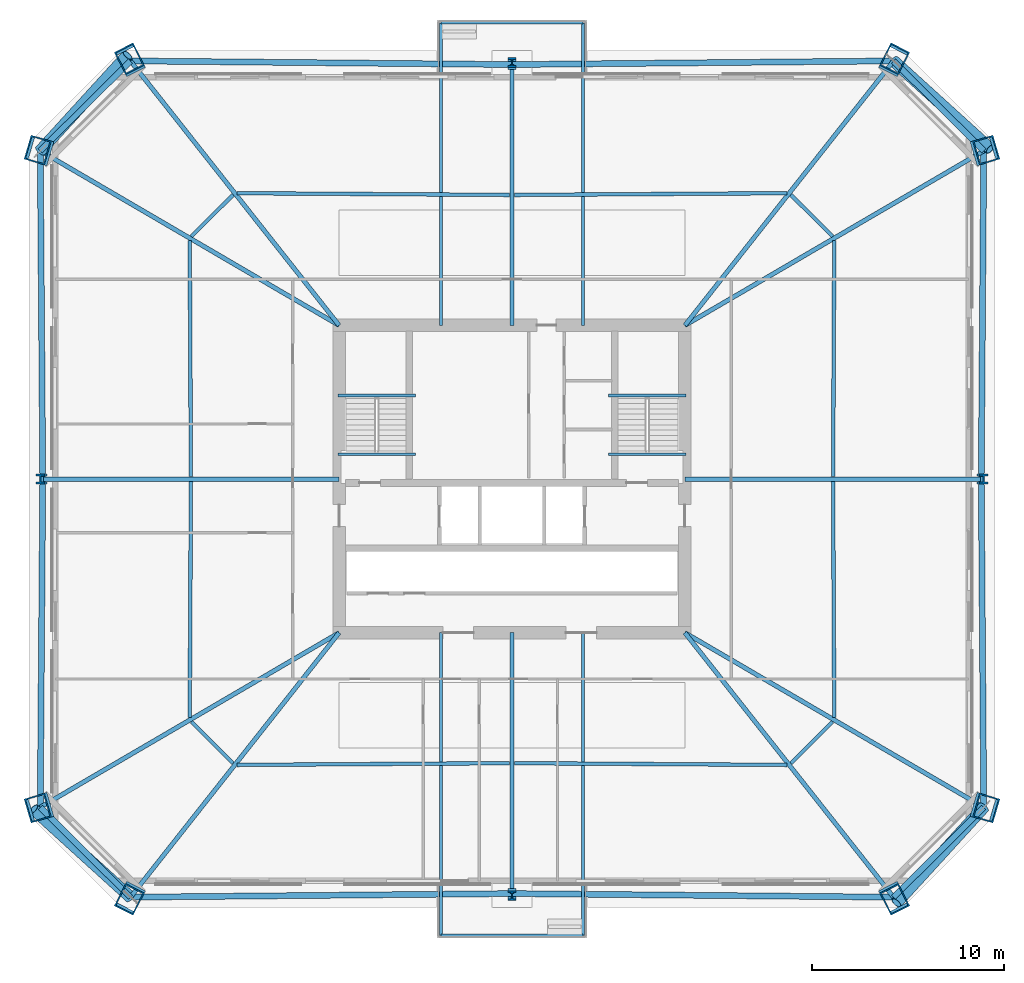
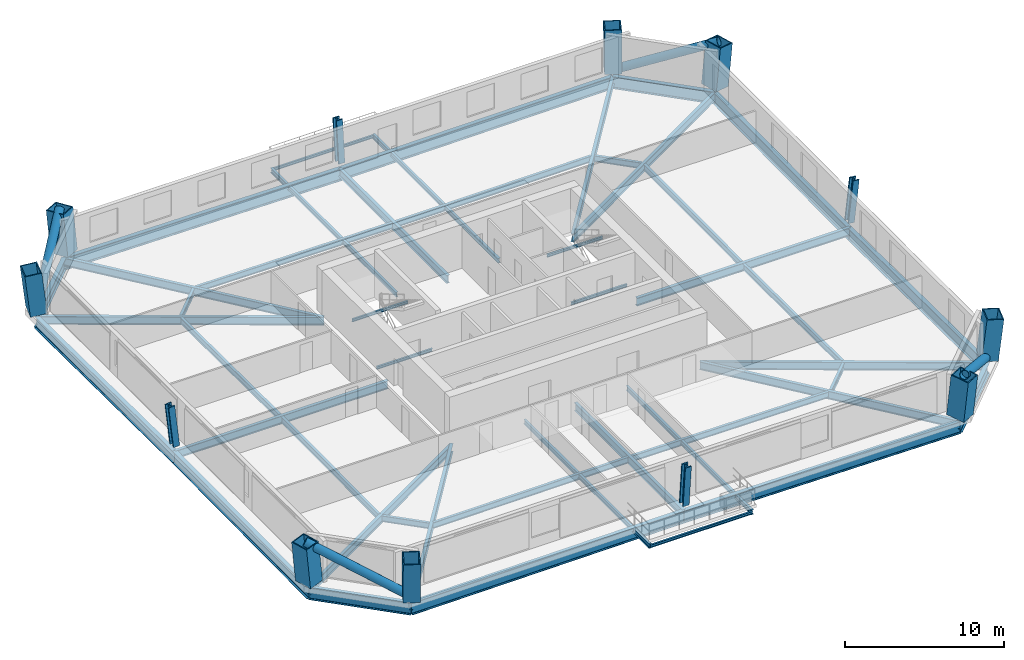
# One storey, part 1 of 8: 46 beams, 12 columns, 4 members.
"""IFC4 building model written with IfcOpenShell, lengths in metres."""

from ifc_helpers import new_model, si_unit, direction, frame, origin, origin_2d, place, context, subcontext, project, spatial, hollow_rectangle, hollow_circle, i_section, extrude, material, material_profile, profile_set, type_object, element, save


model = new_model("IFC4")

# Units and contexts
model_context = context("Model", 3, precision=1e-05, world=origin(), true_north=direction((0.0, 1.0)))
body_context = subcontext(model_context, "Body", "Model", "MODEL_VIEW")
ifc_project = project(units=[si_unit("LENGTHUNIT", "METRE"), si_unit("AREAUNIT", "SQUARE_METRE"), si_unit("VOLUMEUNIT", "CUBIC_METRE"), si_unit("PLANEANGLEUNIT", "RADIAN"), si_unit("MASSUNIT", "GRAM", prefix="KILO")], contexts=[model_context])

# Site, building, storey
site_placement = place(None, origin())
site = spatial("IfcSite", under=ifc_project, at=site_placement, CompositionType="ELEMENT")
building_placement = place(site_placement, origin())
building = spatial("IfcBuilding", under=site, at=building_placement, Name="Caelvoria Tower", CompositionType="ELEMENT")
storey_placement = place(building_placement, frame((0.0, 0.0, 46.0)))
storey = spatial("IfcBuildingStorey", under=building, at=storey_placement, Name="L11", CompositionType="ELEMENT", Elevation=46.0)

# Columns
ifc_material_1 = material(Name="Structural Steel ASTM A913 Gr.65", Category="steel")
ifc_material_profile_1 = material_profile(ifc_material_1, i_section(OverallWidth=0.43896484375, OverallDepth=0.513916015625, WebThickness=0.059814453125, FlangeThickness=0.096923828125, FilletRadius=0.02490234375, at=origin_2d()), Name="Structural Steel ASTM A913 Gr.65")
ifc_profile_set_1 = profile_set([ifc_material_profile_1], Name="W360X818 - Structural Steel ASTM A913 Gr.65")
column_type_1 = type_object("IfcColumnType", Name="Heavy Frame Column W360X818", PredefinedType="COLUMN", material=ifc_profile_set_1)
column_1_placement = place(storey_placement, frame((46.0, 10.419921875, 0.0), z_axis=(0.0, -0.094809092628, 0.995495472594), x_axis=(1.0, 0.0, 0.0)))
element("IfcColumn", 1, at=column_1_placement, inside=storey, type_object=column_type_1, Name="Perimeter Megaframe Column L11-P01", PredefinedType="COLUMN", context=body_context, shape_type="SweptSolid", body=[
    extrude(i_section(OverallWidth=0.43896484375, OverallDepth=0.513916015625, WebThickness=0.059814453125, FlangeThickness=0.096923828125, FilletRadius=0.02490234375, at=origin_2d()), origin(), (0.0, 0.0, 1.0), 3.162109375),
])
column_2_placement = place(storey_placement, frame((70.429931640625, 32.0, 0.0), z_axis=(0.110533045798, 0.0, 0.993872449455), x_axis=(-0.993872449455, 0.0, 0.110533045798)))
element("IfcColumn", 2, at=column_2_placement, inside=storey, type_object=column_type_1, Name="Perimeter Megaframe Column L11-P04", PredefinedType="COLUMN", context=body_context, shape_type="SweptSolid", body=[
    extrude(i_section(OverallWidth=0.43896484375, OverallDepth=0.513916015625, WebThickness=0.059814453125, FlangeThickness=0.096923828125, FilletRadius=0.02490234375, at=origin_2d()), origin(), (0.0, 0.0, 1.0), 3.167236328125),
])
column_3_placement = place(storey_placement, frame((46.0, 53.580078125, 0.0), z_axis=(0.0, 0.094809092628, 0.995495472594), x_axis=(-1.0, 0.0, 0.0)))
element("IfcColumn", 3, at=column_3_placement, inside=storey, type_object=column_type_1, Name="Perimeter Megaframe Column L11-P07", PredefinedType="COLUMN", context=body_context, shape_type="SweptSolid", body=[
    extrude(i_section(OverallWidth=0.43896484375, OverallDepth=0.513916015625, WebThickness=0.059814453125, FlangeThickness=0.096923828125, FilletRadius=0.02490234375, at=origin_2d()), origin(), (0.0, 0.0, 1.0), 3.162109375),
])
column_4_placement = place(storey_placement, frame((21.570068359375, 32.0, 0.0), z_axis=(-0.110533045798, 0.0, 0.993872449455), x_axis=(0.993872449455, 0.0, 0.110533045798)))
element("IfcColumn", 4, at=column_4_placement, inside=storey, type_object=column_type_1, Name="Perimeter Megaframe Column L11-P10", PredefinedType="COLUMN", context=body_context, shape_type="SweptSolid", body=[
    extrude(i_section(OverallWidth=0.43896484375, OverallDepth=0.513916015625, WebThickness=0.059814453125, FlangeThickness=0.096923828125, FilletRadius=0.02490234375, at=origin_2d()), origin(), (0.0, 0.0, 1.0), 3.167236328125),
])
ifc_material_2 = material(Name="Structural Steel ASTM A572 Gr.50", Category="steel")
ifc_material_profile_2 = material_profile(ifc_material_2, hollow_rectangle(XDim=1.10009765625, YDim=1.300048828125, WallThickness=0.070068359375, at=origin_2d()), Name="Structural Steel ASTM A572 Gr.50")
ifc_profile_set_2 = profile_set([ifc_material_profile_2], Name="BOX1300X1100X70 - Structural Steel ASTM A572 Gr.50")
column_type_2 = type_object("IfcColumnType", Name="Mega Box Column 1300x1100x70", PredefinedType="COLUMN", material=ifc_profile_set_2)
for number, where, z_axis, x_axis, name in (
    (5, (26.13525390625, 10.231689453125, 0.0), (-0.047892071217, -0.094241724682, 0.994396725077), (0.891490015287, -0.453040343284, 0.0), "Perimeter Megaframe Column L11-P00"),
    (6, (65.86474609375, 10.231689453125, 0.0), (0.047892071217, -0.094241724682, 0.994396725077), (0.891490015287, 0.453040343284, 0.0), "Perimeter Megaframe Column L11-P02"),
):
    element("IfcColumn", number, at=place(storey_placement, frame(where, z_axis=z_axis, x_axis=x_axis)), inside=storey, type_object=column_type_2, Name=name, PredefinedType="COLUMN", context=body_context, shape_type="SweptSolid", body=[
        extrude(hollow_rectangle(XDim=1.10009765625, YDim=1.300048828125, WallThickness=0.070068359375, at=origin_2d()), origin(), (0.0, 0.0, 1.0), 3.165771484375),
    ])
for number, where, z_axis, x_axis, name in (
    (7, (70.55908203125, 14.9111328125, 0.0), (0.109942970926, -0.032204738505, 0.993416024615), (-0.953356995981, 0.279259442411, 0.114562655514), "Perimeter Megaframe Column L11-P03"),
    (8, (70.55908203125, 49.0888671875, 0.0), (0.109942970926, 0.032204738505, 0.993416024615), (-0.953356995981, -0.279259442411, 0.114562655514), "Perimeter Megaframe Column L11-P05"),
):
    element("IfcColumn", number, at=place(storey_placement, frame(where, z_axis=z_axis, x_axis=x_axis)), inside=storey, type_object=column_type_2, Name=name, PredefinedType="COLUMN", context=body_context, shape_type="SweptSolid", body=[
        extrude(hollow_rectangle(XDim=1.10009765625, YDim=1.300048828125, WallThickness=0.070068359375, at=origin_2d()), origin(), (0.0, 0.0, 1.0), 3.168701171875),
    ])
for number, where, z_axis, x_axis, name in (
    (9, (65.86474609375, 53.768310546875, 0.0), (0.047892071217, 0.094241724682, 0.994396725077), (-0.891490015287, 0.453040343284, 0.0), "Perimeter Megaframe Column L11-P06"),
    (10, (26.13525390625, 53.768310546875, 0.0), (-0.047892071217, 0.094241724682, 0.994396725077), (-0.891490015287, -0.453040343284, 0.0), "Perimeter Megaframe Column L11-P08"),
):
    element("IfcColumn", number, at=place(storey_placement, frame(where, z_axis=z_axis, x_axis=x_axis)), inside=storey, type_object=column_type_2, Name=name, PredefinedType="COLUMN", context=body_context, shape_type="SweptSolid", body=[
        extrude(hollow_rectangle(XDim=1.10009765625, YDim=1.300048828125, WallThickness=0.070068359375, at=origin_2d()), origin(), (0.0, 0.0, 1.0), 3.165771484375),
    ])
for number, where, z_axis, x_axis, name in (
    (11, (21.44091796875, 49.0888671875, 0.0), (-0.109942970926, 0.032204738505, 0.993416024615), (0.953356995981, -0.279259442411, 0.114562655514), "Perimeter Megaframe Column L11-P09"),
    (12, (21.44091796875, 14.9111328125, 0.0), (-0.109942970926, -0.032204738505, 0.993416024615), (0.953356995981, 0.279259442411, 0.114562655514), "Perimeter Megaframe Column L11-P11"),
):
    element("IfcColumn", number, at=place(storey_placement, frame(where, z_axis=z_axis, x_axis=x_axis)), inside=storey, type_object=column_type_2, Name=name, PredefinedType="COLUMN", context=body_context, shape_type="SweptSolid", body=[
        extrude(hollow_rectangle(XDim=1.10009765625, YDim=1.300048828125, WallThickness=0.070068359375, at=origin_2d()), origin(), (0.0, 0.0, 1.0), 3.168701171875),
    ])

# Beams
ifc_material_3 = material(Name="Structural Steel ASTM A992 Gr.50", Category="steel")
ifc_material_profile_3 = material_profile(ifc_material_3, i_section(OverallWidth=0.134033203125, OverallDepth=0.2099609375, WebThickness=0.00634765625, FlangeThickness=0.01025390625, FilletRadius=0.010009765625, at=origin_2d()), Name="Structural Steel ASTM A992 Gr.50")
ifc_profile_set_3 = profile_set([ifc_material_profile_3], Name="W200X31.3 - Structural Steel ASTM A992 Gr.50")
beam_type_1 = type_object("IfcBeamType", Name="Canopy Edge Trim Beam W200X31.3", PredefinedType="BEAM", material=ifc_profile_set_3)
for number, where, z_axis, x_axis, name in (
    (13, (42.300048828125, 8.25, -0.62890625), (1.0, 0.0, 0.0), (0.0, 1.0, 0.0), "Tree Balcony Edge Beam TB-L11-S"),
    (14, (42.300048828125, 55.75, -0.62890625), (1.0, 0.0, 0.0), (0.0, 1.0, 0.0), "Tree Balcony Edge Beam TB-L11-N"),
):
    element("IfcBeam", number, at=place(storey_placement, frame(where, z_axis=z_axis, x_axis=x_axis)), inside=storey, type_object=beam_type_1, Name=name, PredefinedType="BEAM", context=body_context, shape_type="SweptSolid", body=[
        extrude(i_section(OverallWidth=0.134033203125, OverallDepth=0.2099609375, WebThickness=0.00634765625, FlangeThickness=0.01025390625, FilletRadius=0.010009765625, at=origin_2d()), origin(), (0.0, 0.0, 1.0), 7.39990234375),
    ])
for number, where, z_axis, x_axis, name in (
    (15, (36.929931640625, 36.35009765625, 1.4951171875), (1.0, 0.0, 0.0), (0.0, 1.0, 0.0), "ST-01 Half-Landing Support Beam L11"),
    (16, (36.929931640625, 33.300048828125, -0.304931640625), (1.0, 0.0, 0.0), (0.0, 1.0, 0.0), "ST-01 Floor-Landing Support Beam L11"),
    (17, (51.030029296875, 36.35009765625, 1.4951171875), (1.0, 0.0, 0.0), (0.0, 1.0, 0.0), "ST-02 Half-Landing Support Beam L11"),
    (18, (51.030029296875, 33.300048828125, -0.304931640625), (1.0, 0.0, 0.0), (0.0, 1.0, 0.0), "ST-02 Floor-Landing Support Beam L11"),
):
    element("IfcBeam", number, at=place(storey_placement, frame(where, z_axis=z_axis, x_axis=x_axis)), inside=storey, type_object=beam_type_1, Name=name, PredefinedType="BEAM", context=body_context, shape_type="SweptSolid", body=[
        extrude(i_section(OverallWidth=0.134033203125, OverallDepth=0.2099609375, WebThickness=0.00634765625, FlangeThickness=0.01025390625, FilletRadius=0.010009765625, at=origin_2d()), origin(), (0.0, 0.0, 1.0), 4.0400390625),
    ])

# Members
ifc_material_profile_4 = material_profile(ifc_material_2, hollow_circle(Radius=0.304931640625, WallThickness=0.02490234375, at=origin_2d()), Name="Structural Steel ASTM A572 Gr.50")
ifc_profile_set_4 = profile_set([ifc_material_profile_4], Name="CHS610X25 - Structural Steel ASTM A572 Gr.50")
member_type = type_object("IfcMemberType", Name="Lower Perimeter Mega Brace CHS610X25", PredefinedType="BRACE", material=ifc_profile_set_4)
member_1_placement = place(storey_placement, frame((70.55908203125, 14.9111328125, 0.0), z_axis=(-0.610675281854, -0.669159903354, 0.423439161954), x_axis=(0.738648609457, -0.674090670272, 0.0)))
element("IfcMember", 19, at=member_1_placement, inside=storey, type_object=member_type, Name="Perimeter Chamfer Mega Brace L11 SE", PredefinedType="BRACE", context=body_context, shape_type="SweptSolid", body=[
    extrude(hollow_circle(Radius=0.304931640625, WallThickness=0.02490234375, at=origin_2d()), origin(), (0.0, 0.0, 1.0), 7.43896484375),
])
member_2_placement = place(storey_placement, frame((65.86474609375, 53.768310546875, 0.0), z_axis=(0.67204388794, -0.61002909005, 0.419787472389), x_axis=(0.67211768785, 0.740444335301, 0.0)))
element("IfcMember", 20, at=member_2_placement, inside=storey, type_object=member_type, Name="Perimeter Chamfer Mega Brace L11 NE", PredefinedType="BRACE", context=body_context, shape_type="SweptSolid", body=[
    extrude(hollow_circle(Radius=0.304931640625, WallThickness=0.02490234375, at=origin_2d()), origin(), (0.0, 0.0, 1.0), 7.503662109375),
])
member_3_placement = place(storey_placement, frame((21.44091796875, 49.0888671875, 0.0), z_axis=(0.610675281854, 0.669159903354, 0.423439161954), x_axis=(-0.738648609457, 0.674090670272, 0.0)))
element("IfcMember", 21, at=member_3_placement, inside=storey, type_object=member_type, Name="Perimeter Chamfer Mega Brace L11 NW", PredefinedType="BRACE", context=body_context, shape_type="SweptSolid", body=[
    extrude(hollow_circle(Radius=0.304931640625, WallThickness=0.02490234375, at=origin_2d()), origin(), (0.0, 0.0, 1.0), 7.43896484375),
])
member_4_placement = place(storey_placement, frame((26.13525390625, 10.231689453125, 0.0), z_axis=(-0.67204388794, 0.61002909005, 0.419787472389), x_axis=(-0.67211768785, -0.740444335301, 0.0)))
element("IfcMember", 22, at=member_4_placement, inside=storey, type_object=member_type, Name="Perimeter Chamfer Mega Brace L11 SW", PredefinedType="BRACE", context=body_context, shape_type="SweptSolid", body=[
    extrude(hollow_circle(Radius=0.304931640625, WallThickness=0.02490234375, at=origin_2d()), origin(), (0.0, 0.0, 1.0), 7.503662109375),
])

# Beams
ifc_material_profile_5 = material_profile(ifc_material_3, i_section(OverallWidth=0.30810546875, OverallDepth=0.927001953125, WebThickness=0.019287109375, FlangeThickness=0.031982421875, FilletRadius=0.02392578125, at=origin_2d()), Name="Structural Steel ASTM A992 Gr.50")
ifc_profile_set_5 = profile_set([ifc_material_profile_5], Name="W920X289 - Structural Steel ASTM A992 Gr.50")
beam_type_2 = type_object("IfcBeamType", Name="Outrigger Tie Girder W920X289", PredefinedType="BEAM", material=ifc_profile_set_5)
for number, where, z_axis, x_axis, name in (
    (23, (26.13525390625, 10.231689453125, -0.91357421875), (0.999955108555, 0.009475277004, 0.0), (-0.009475277004, 0.999955108555, 0.0), "Perimeter Spandrel Girder L11-00"),
    (24, (46.0, 10.419921875, -0.91357421875), (0.999955108555, -0.009475277004, 0.0), (0.009475277004, 0.999955108555, 0.0), "Perimeter Spandrel Girder L11-01"),
):
    element("IfcBeam", number, at=place(storey_placement, frame(where, z_axis=z_axis, x_axis=x_axis)), inside=storey, type_object=beam_type_2, Name=name, PredefinedType="BEAM", context=body_context, shape_type="SweptSolid", body=[
        extrude(i_section(OverallWidth=0.30810546875, OverallDepth=0.927001953125, WebThickness=0.019287109375, FlangeThickness=0.031982421875, FilletRadius=0.02392578125, at=origin_2d()), origin(), (0.0, 0.0, 1.0), 19.86572265625),
    ])
beam_1_placement = place(storey_placement, frame((65.86474609375, 10.231689453125, -0.91357421875), z_axis=(0.708229302221, 0.705982475332, 0.0), x_axis=(-0.705982475332, 0.708229302221, 0.0)))
element("IfcBeam", 25, at=beam_1_placement, inside=storey, type_object=beam_type_2, Name="Perimeter Spandrel Girder L11-02", PredefinedType="BEAM", context=body_context, shape_type="SweptSolid", body=[
    extrude(i_section(OverallWidth=0.30810546875, OverallDepth=0.927001953125, WebThickness=0.019287109375, FlangeThickness=0.031982421875, FilletRadius=0.02392578125, at=origin_2d()), origin(), (0.0, 0.0, 1.0), 6.628173828125),
])
for number, where, z_axis, x_axis, name in (
    (26, (70.55908203125, 14.9111328125, -0.91357421875), (-0.007557358895, 0.999971442756, 0.0), (-0.999971442756, -0.007557358895, 0.0), "Perimeter Spandrel Girder L11-03"),
    (27, (70.429931640625, 32.0, -0.91357421875), (0.007557358895, 0.999971442756, 0.0), (-0.999971442756, 0.007557358895, 0.0), "Perimeter Spandrel Girder L11-04"),
):
    element("IfcBeam", number, at=place(storey_placement, frame(where, z_axis=z_axis, x_axis=x_axis)), inside=storey, type_object=beam_type_2, Name=name, PredefinedType="BEAM", context=body_context, shape_type="SweptSolid", body=[
        extrude(i_section(OverallWidth=0.30810546875, OverallDepth=0.927001953125, WebThickness=0.019287109375, FlangeThickness=0.031982421875, FilletRadius=0.02392578125, at=origin_2d()), origin(), (0.0, 0.0, 1.0), 17.08935546875),
    ])
beam_2_placement = place(storey_placement, frame((70.55908203125, 49.0888671875, -0.91357421875), z_axis=(-0.708229302221, 0.705982475332, 0.0), x_axis=(-0.705982475332, -0.708229302221, 0.0)))
element("IfcBeam", 28, at=beam_2_placement, inside=storey, type_object=beam_type_2, Name="Perimeter Spandrel Girder L11-05", PredefinedType="BEAM", context=body_context, shape_type="SweptSolid", body=[
    extrude(i_section(OverallWidth=0.30810546875, OverallDepth=0.927001953125, WebThickness=0.019287109375, FlangeThickness=0.031982421875, FilletRadius=0.02392578125, at=origin_2d()), origin(), (0.0, 0.0, 1.0), 6.628173828125),
])
for number, where, z_axis, x_axis, name in (
    (29, (65.86474609375, 53.768310546875, -0.91357421875), (-0.999955108555, -0.009475277004, 0.0), (0.009475277004, -0.999955108555, 0.0), "Perimeter Spandrel Girder L11-06"),
    (30, (46.0, 53.580078125, -0.91357421875), (-0.999955108555, 0.009475277004, 0.0), (-0.009475277004, -0.999955108555, 0.0), "Perimeter Spandrel Girder L11-07"),
):
    element("IfcBeam", number, at=place(storey_placement, frame(where, z_axis=z_axis, x_axis=x_axis)), inside=storey, type_object=beam_type_2, Name=name, PredefinedType="BEAM", context=body_context, shape_type="SweptSolid", body=[
        extrude(i_section(OverallWidth=0.30810546875, OverallDepth=0.927001953125, WebThickness=0.019287109375, FlangeThickness=0.031982421875, FilletRadius=0.02392578125, at=origin_2d()), origin(), (0.0, 0.0, 1.0), 19.86572265625),
    ])
beam_3_placement = place(storey_placement, frame((26.13525390625, 53.768310546875, -0.91357421875), z_axis=(-0.708229302221, -0.705982475332, 0.0), x_axis=(0.705982475332, -0.708229302221, 0.0)))
element("IfcBeam", 31, at=beam_3_placement, inside=storey, type_object=beam_type_2, Name="Perimeter Spandrel Girder L11-08", PredefinedType="BEAM", context=body_context, shape_type="SweptSolid", body=[
    extrude(i_section(OverallWidth=0.30810546875, OverallDepth=0.927001953125, WebThickness=0.019287109375, FlangeThickness=0.031982421875, FilletRadius=0.02392578125, at=origin_2d()), origin(), (0.0, 0.0, 1.0), 6.628173828125),
])
for number, where, z_axis, x_axis, name in (
    (32, (21.44091796875, 49.0888671875, -0.91357421875), (0.007557358895, -0.999971442756, 0.0), (0.999971442756, 0.007557358895, 0.0), "Perimeter Spandrel Girder L11-09"),
    (33, (21.570068359375, 32.0, -0.91357421875), (-0.007557358895, -0.999971442756, 0.0), (0.999971442756, -0.007557358895, 0.0), "Perimeter Spandrel Girder L11-10"),
):
    element("IfcBeam", number, at=place(storey_placement, frame(where, z_axis=z_axis, x_axis=x_axis)), inside=storey, type_object=beam_type_2, Name=name, PredefinedType="BEAM", context=body_context, shape_type="SweptSolid", body=[
        extrude(i_section(OverallWidth=0.30810546875, OverallDepth=0.927001953125, WebThickness=0.019287109375, FlangeThickness=0.031982421875, FilletRadius=0.02392578125, at=origin_2d()), origin(), (0.0, 0.0, 1.0), 17.08935546875),
    ])
beam_4_placement = place(storey_placement, frame((21.44091796875, 14.9111328125, -0.91357421875), z_axis=(0.708229302221, -0.705982475332, 0.0), x_axis=(0.705982475332, 0.708229302221, 0.0)))
element("IfcBeam", 34, at=beam_4_placement, inside=storey, type_object=beam_type_2, Name="Perimeter Spandrel Girder L11-11", PredefinedType="BEAM", context=body_context, shape_type="SweptSolid", body=[
    extrude(i_section(OverallWidth=0.30810546875, OverallDepth=0.927001953125, WebThickness=0.019287109375, FlangeThickness=0.031982421875, FilletRadius=0.02392578125, at=origin_2d()), origin(), (0.0, 0.0, 1.0), 6.628173828125),
])
ifc_material_profile_6 = material_profile(ifc_material_3, i_section(OverallWidth=0.22900390625, OverallDepth=0.612060546875, WebThickness=0.011962890625, FlangeThickness=0.01953125, FilletRadius=0.01806640625, at=origin_2d()), Name="Structural Steel ASTM A992 Gr.50")
ifc_profile_set_6 = profile_set([ifc_material_profile_6], Name="W610X125 - Structural Steel ASTM A992 Gr.50")
beam_type_3 = type_object("IfcBeamType", Name="Primary Radial Floor Girder W610X125", PredefinedType="BEAM", material=ifc_profile_set_6)
beam_5_placement = place(storey_placement, frame((37.0, 24.0, -0.756103515625), z_axis=(-0.619469607618, -0.785020640007, 0.0), x_axis=(0.785020640007, -0.619469607618, 0.0)))
element("IfcBeam", 35, at=beam_5_placement, inside=storey, type_object=beam_type_3, Name="Primary Floor Girder L11-00", PredefinedType="BEAM", context=body_context, shape_type="SweptSolid", body=[
    extrude(i_section(OverallWidth=0.22900390625, OverallDepth=0.612060546875, WebThickness=0.011962890625, FlangeThickness=0.01953125, FilletRadius=0.01806640625, at=origin_2d()), origin(), (0.0, 0.0, 1.0), 17.538818359375),
])
beam_6_placement = place(storey_placement, frame((46.0, 24.0, -0.756103515625), z_axis=(0.0, -1.0, 0.0), x_axis=(1.0, 0.0, 0.0)))
element("IfcBeam", 36, at=beam_6_placement, inside=storey, type_object=beam_type_3, Name="Primary Floor Girder L11-01", PredefinedType="BEAM", context=body_context, shape_type="SweptSolid", body=[
    extrude(i_section(OverallWidth=0.22900390625, OverallDepth=0.612060546875, WebThickness=0.011962890625, FlangeThickness=0.01953125, FilletRadius=0.01806640625, at=origin_2d()), origin(), (0.0, 0.0, 1.0), 13.580078125),
])
beam_7_placement = place(storey_placement, frame((55.0, 24.0, -0.756103515625), z_axis=(0.619469607618, -0.785020640007, 0.0), x_axis=(0.785020640007, 0.619469607618, 0.0)))
element("IfcBeam", 37, at=beam_7_placement, inside=storey, type_object=beam_type_3, Name="Primary Floor Girder L11-02", PredefinedType="BEAM", context=body_context, shape_type="SweptSolid", body=[
    extrude(i_section(OverallWidth=0.22900390625, OverallDepth=0.612060546875, WebThickness=0.011962890625, FlangeThickness=0.01953125, FilletRadius=0.01806640625, at=origin_2d()), origin(), (0.0, 0.0, 1.0), 17.538818359375),
])
beam_8_placement = place(storey_placement, frame((55.0, 24.0, -0.756103515625), z_axis=(0.863471116807, -0.504398285525, 0.0), x_axis=(0.504398285525, 0.863471116807, 0.0)))
element("IfcBeam", 38, at=beam_8_placement, inside=storey, type_object=beam_type_3, Name="Primary Floor Girder L11-03", PredefinedType="BEAM", context=body_context, shape_type="SweptSolid", body=[
    extrude(i_section(OverallWidth=0.22900390625, OverallDepth=0.612060546875, WebThickness=0.011962890625, FlangeThickness=0.01953125, FilletRadius=0.01806640625, at=origin_2d()), origin(), (0.0, 0.0, 1.0), 18.019287109375),
])
beam_9_placement = place(storey_placement, frame((55.0, 32.0, -0.756103515625), z_axis=(1.0, 0.0, 0.0), x_axis=(0.0, 1.0, 0.0)))
element("IfcBeam", 39, at=beam_9_placement, inside=storey, type_object=beam_type_3, Name="Primary Floor Girder L11-04", PredefinedType="BEAM", context=body_context, shape_type="SweptSolid", body=[
    extrude(i_section(OverallWidth=0.22900390625, OverallDepth=0.612060546875, WebThickness=0.011962890625, FlangeThickness=0.01953125, FilletRadius=0.01806640625, at=origin_2d()), origin(), (0.0, 0.0, 1.0), 15.429931640625),
])
beam_10_placement = place(storey_placement, frame((55.0, 40.0, -0.756103515625), z_axis=(0.863471116807, 0.504398285525, 0.0), x_axis=(-0.504398285525, 0.863471116807, 0.0)))
element("IfcBeam", 40, at=beam_10_placement, inside=storey, type_object=beam_type_3, Name="Primary Floor Girder L11-05", PredefinedType="BEAM", context=body_context, shape_type="SweptSolid", body=[
    extrude(i_section(OverallWidth=0.22900390625, OverallDepth=0.612060546875, WebThickness=0.011962890625, FlangeThickness=0.01953125, FilletRadius=0.01806640625, at=origin_2d()), origin(), (0.0, 0.0, 1.0), 18.019287109375),
])
beam_11_placement = place(storey_placement, frame((55.0, 40.0, -0.756103515625), z_axis=(0.619469607618, 0.785020640007, 0.0), x_axis=(-0.785020640007, 0.619469607618, 0.0)))
element("IfcBeam", 41, at=beam_11_placement, inside=storey, type_object=beam_type_3, Name="Primary Floor Girder L11-06", PredefinedType="BEAM", context=body_context, shape_type="SweptSolid", body=[
    extrude(i_section(OverallWidth=0.22900390625, OverallDepth=0.612060546875, WebThickness=0.011962890625, FlangeThickness=0.01953125, FilletRadius=0.01806640625, at=origin_2d()), origin(), (0.0, 0.0, 1.0), 17.538818359375),
])
beam_12_placement = place(storey_placement, frame((46.0, 40.0, -0.756103515625), z_axis=(0.0, 1.0, 0.0), x_axis=(-1.0, 0.0, 0.0)))
element("IfcBeam", 42, at=beam_12_placement, inside=storey, type_object=beam_type_3, Name="Primary Floor Girder L11-07", PredefinedType="BEAM", context=body_context, shape_type="SweptSolid", body=[
    extrude(i_section(OverallWidth=0.22900390625, OverallDepth=0.612060546875, WebThickness=0.011962890625, FlangeThickness=0.01953125, FilletRadius=0.01806640625, at=origin_2d()), origin(), (0.0, 0.0, 1.0), 13.580078125),
])
beam_13_placement = place(storey_placement, frame((37.0, 40.0, -0.756103515625), z_axis=(-0.619469607618, 0.785020640007, 0.0), x_axis=(-0.785020640007, -0.619469607618, 0.0)))
element("IfcBeam", 43, at=beam_13_placement, inside=storey, type_object=beam_type_3, Name="Primary Floor Girder L11-08", PredefinedType="BEAM", context=body_context, shape_type="SweptSolid", body=[
    extrude(i_section(OverallWidth=0.22900390625, OverallDepth=0.612060546875, WebThickness=0.011962890625, FlangeThickness=0.01953125, FilletRadius=0.01806640625, at=origin_2d()), origin(), (0.0, 0.0, 1.0), 17.538818359375),
])
beam_14_placement = place(storey_placement, frame((37.0, 40.0, -0.756103515625), z_axis=(-0.863471116807, 0.504398285525, 0.0), x_axis=(-0.504398285525, -0.863471116807, 0.0)))
element("IfcBeam", 44, at=beam_14_placement, inside=storey, type_object=beam_type_3, Name="Primary Floor Girder L11-09", PredefinedType="BEAM", context=body_context, shape_type="SweptSolid", body=[
    extrude(i_section(OverallWidth=0.22900390625, OverallDepth=0.612060546875, WebThickness=0.011962890625, FlangeThickness=0.01953125, FilletRadius=0.01806640625, at=origin_2d()), origin(), (0.0, 0.0, 1.0), 18.019287109375),
])
beam_15_placement = place(storey_placement, frame((37.0, 32.0, -0.756103515625), z_axis=(-1.0, 0.0, 0.0), x_axis=(0.0, -1.0, 0.0)))
element("IfcBeam", 45, at=beam_15_placement, inside=storey, type_object=beam_type_3, Name="Primary Floor Girder L11-10", PredefinedType="BEAM", context=body_context, shape_type="SweptSolid", body=[
    extrude(i_section(OverallWidth=0.22900390625, OverallDepth=0.612060546875, WebThickness=0.011962890625, FlangeThickness=0.01953125, FilletRadius=0.01806640625, at=origin_2d()), origin(), (0.0, 0.0, 1.0), 15.429931640625),
])
beam_16_placement = place(storey_placement, frame((37.0, 24.0, -0.756103515625), z_axis=(-0.863471116807, -0.504398285525, 0.0), x_axis=(0.504398285525, -0.863471116807, 0.0)))
element("IfcBeam", 46, at=beam_16_placement, inside=storey, type_object=beam_type_3, Name="Primary Floor Girder L11-11", PredefinedType="BEAM", context=body_context, shape_type="SweptSolid", body=[
    extrude(i_section(OverallWidth=0.22900390625, OverallDepth=0.612060546875, WebThickness=0.011962890625, FlangeThickness=0.01953125, FilletRadius=0.01806640625, at=origin_2d()), origin(), (0.0, 0.0, 1.0), 18.019287109375),
])
ifc_material_profile_7 = material_profile(ifc_material_3, i_section(OverallWidth=0.18994140625, OverallDepth=0.45703125, WebThickness=0.009033203125, FlangeThickness=0.014404296875, FilletRadius=0.014892578125, at=origin_2d()), Name="Structural Steel ASTM A992 Gr.50")
ifc_profile_set_7 = profile_set([ifc_material_profile_7], Name="W460X74 - Structural Steel ASTM A992 Gr.50")
beam_type_4 = type_object("IfcBeamType", Name="Secondary Floor Beam W460X74", PredefinedType="BEAM", material=ifc_profile_set_7)
for number, where, z_axis, x_axis, name in (
    (47, (31.692626953125, 17.11669921875, -0.678466796875), (0.999978717784, 0.006524107591, 0.0), (-0.006524107591, 0.999978717784, 0.0), "Secondary Floor Beam L11-00"),
    (48, (46.125, 17.209228515625, -0.678466796875), (0.999978717784, -0.006524107591, 0.0), (0.006524107591, 0.999978717784, 0.0), "Secondary Floor Beam L11-01"),
):
    element("IfcBeam", number, at=place(storey_placement, frame(where, z_axis=z_axis, x_axis=x_axis)), inside=storey, type_object=beam_type_4, Name=name, PredefinedType="BEAM", context=body_context, shape_type="SweptSolid", body=[
        extrude(i_section(OverallWidth=0.18994140625, OverallDepth=0.45703125, WebThickness=0.009033203125, FlangeThickness=0.014404296875, FilletRadius=0.014892578125, at=origin_2d()), origin(), (0.0, 0.0, 1.0), 14.1826171875),
    ])
beam_17_placement = place(storey_placement, frame((60.520751953125, 17.2041015625, -0.678466796875), z_axis=(0.708221336069, 0.705990466746, 0.0), x_axis=(-0.705990466746, 0.708221336069, 0.0)))
element("IfcBeam", 49, at=beam_17_placement, inside=storey, type_object=beam_type_4, Name="Secondary Floor Beam L11-02", PredefinedType="BEAM", context=body_context, shape_type="SweptSolid", body=[
    extrude(i_section(OverallWidth=0.18994140625, OverallDepth=0.45703125, WebThickness=0.009033203125, FlangeThickness=0.014404296875, FilletRadius=0.014892578125, at=origin_2d()), origin(), (0.0, 0.0, 1.0), 3.064208984375),
])
for number, where, z_axis, x_axis, name in (
    (50, (62.77880859375, 19.58056640625, -0.678466796875), (-0.005143106845, 0.999986774139, 0.0), (-0.999986774139, -0.005143106845, 0.0), "Secondary Floor Beam L11-03"),
    (51, (62.715576171875, 32.125, -0.678466796875), (0.005143106845, 0.999986774139, 0.0), (-0.999986774139, 0.005143106845, 0.0), "Secondary Floor Beam L11-04"),
):
    element("IfcBeam", number, at=place(storey_placement, frame(where, z_axis=z_axis, x_axis=x_axis)), inside=storey, type_object=beam_type_4, Name=name, PredefinedType="BEAM", context=body_context, shape_type="SweptSolid", body=[
        extrude(i_section(OverallWidth=0.18994140625, OverallDepth=0.45703125, WebThickness=0.009033203125, FlangeThickness=0.014404296875, FilletRadius=0.014892578125, at=origin_2d()), origin(), (0.0, 0.0, 1.0), 12.294677734375),
    ])
beam_18_placement = place(storey_placement, frame((62.69091796875, 44.632568359375, -0.678466796875), z_axis=(-0.708221336069, 0.705990466746, 0.0), x_axis=(-0.705990466746, -0.708221336069, 0.0)))
element("IfcBeam", 52, at=beam_18_placement, inside=storey, type_object=beam_type_4, Name="Secondary Floor Beam L11-05", PredefinedType="BEAM", context=body_context, shape_type="SweptSolid", body=[
    extrude(i_section(OverallWidth=0.18994140625, OverallDepth=0.45703125, WebThickness=0.009033203125, FlangeThickness=0.014404296875, FilletRadius=0.014892578125, at=origin_2d()), origin(), (0.0, 0.0, 1.0), 3.064208984375),
])
for number, where, z_axis, x_axis, name in (
    (53, (60.307373046875, 46.88330078125, -0.678466796875), (-0.999978717784, -0.006524107591, 0.0), (0.006524107591, -0.999978717784, 0.0), "Secondary Floor Beam L11-06"),
    (54, (45.875, 46.790771484375, -0.678466796875), (-0.999978717784, 0.006524107591, 0.0), (-0.006524107591, -0.999978717784, 0.0), "Secondary Floor Beam L11-07"),
):
    element("IfcBeam", number, at=place(storey_placement, frame(where, z_axis=z_axis, x_axis=x_axis)), inside=storey, type_object=beam_type_4, Name=name, PredefinedType="BEAM", context=body_context, shape_type="SweptSolid", body=[
        extrude(i_section(OverallWidth=0.18994140625, OverallDepth=0.45703125, WebThickness=0.009033203125, FlangeThickness=0.014404296875, FilletRadius=0.014892578125, at=origin_2d()), origin(), (0.0, 0.0, 1.0), 14.1826171875),
    ])
beam_19_placement = place(storey_placement, frame((31.479248046875, 46.7958984375, -0.678466796875), z_axis=(-0.708221336069, -0.705990466746, 0.0), x_axis=(0.705990466746, -0.708221336069, 0.0)))
element("IfcBeam", 55, at=beam_19_placement, inside=storey, type_object=beam_type_4, Name="Secondary Floor Beam L11-08", PredefinedType="BEAM", context=body_context, shape_type="SweptSolid", body=[
    extrude(i_section(OverallWidth=0.18994140625, OverallDepth=0.45703125, WebThickness=0.009033203125, FlangeThickness=0.014404296875, FilletRadius=0.014892578125, at=origin_2d()), origin(), (0.0, 0.0, 1.0), 3.064208984375),
])
for number, where, z_axis, x_axis, name in (
    (56, (29.22119140625, 44.41943359375, -0.678466796875), (0.005143106845, -0.999986774139, 0.0), (0.999986774139, 0.005143106845, 0.0), "Secondary Floor Beam L11-09"),
    (57, (29.284423828125, 31.875, -0.678466796875), (-0.005143106845, -0.999986774139, 0.0), (0.999986774139, -0.005143106845, 0.0), "Secondary Floor Beam L11-10"),
):
    element("IfcBeam", number, at=place(storey_placement, frame(where, z_axis=z_axis, x_axis=x_axis)), inside=storey, type_object=beam_type_4, Name=name, PredefinedType="BEAM", context=body_context, shape_type="SweptSolid", body=[
        extrude(i_section(OverallWidth=0.18994140625, OverallDepth=0.45703125, WebThickness=0.009033203125, FlangeThickness=0.014404296875, FilletRadius=0.014892578125, at=origin_2d()), origin(), (0.0, 0.0, 1.0), 12.294677734375),
    ])
beam_20_placement = place(storey_placement, frame((29.30908203125, 19.367431640625, -0.678466796875), z_axis=(0.708221336069, -0.705990466746, 0.0), x_axis=(0.705990466746, 0.708221336069, 0.0)))
element("IfcBeam", 58, at=beam_20_placement, inside=storey, type_object=beam_type_4, Name="Secondary Floor Beam L11-11", PredefinedType="BEAM", context=body_context, shape_type="SweptSolid", body=[
    extrude(i_section(OverallWidth=0.18994140625, OverallDepth=0.45703125, WebThickness=0.009033203125, FlangeThickness=0.014404296875, FilletRadius=0.014892578125, at=origin_2d()), origin(), (0.0, 0.0, 1.0), 3.064208984375),
])
ifc_material_profile_8 = material_profile(ifc_material_3, i_section(OverallWidth=0.1708984375, OverallDepth=0.35498046875, WebThickness=0.007080078125, FlangeThickness=0.01171875, FilletRadius=0.012939453125, at=origin_2d()), Name="Structural Steel ASTM A992 Gr.50")
ifc_profile_set_8 = profile_set([ifc_material_profile_8], Name="W360X51 - Structural Steel ASTM A992 Gr.50")
beam_type_5 = type_object("IfcBeamType", Name="Tree Balcony Cantilever Beam W360X51", PredefinedType="BEAM", material=ifc_profile_set_8)
for number, where, z_axis, x_axis, name in (
    (59, (42.300048828125, 24.0, -0.62890625), (0.0, -1.0, 0.0), (1.0, 0.0, 0.0), "Tree Balcony Cantilever Beam TB-L11-S L"),
    (60, (49.699951171875, 24.0, -0.62890625), (0.0, -1.0, 0.0), (1.0, 0.0, 0.0), "Tree Balcony Cantilever Beam TB-L11-S R"),
    (61, (42.300048828125, 40.0, -0.62890625), (0.0, 1.0, 0.0), (-1.0, 0.0, 0.0), "Tree Balcony Cantilever Beam TB-L11-N L"),
    (62, (49.699951171875, 40.0, -0.62890625), (0.0, 1.0, 0.0), (-1.0, 0.0, 0.0), "Tree Balcony Cantilever Beam TB-L11-N R"),
):
    element("IfcBeam", number, at=place(storey_placement, frame(where, z_axis=z_axis, x_axis=x_axis)), inside=storey, type_object=beam_type_5, Name=name, PredefinedType="BEAM", context=body_context, shape_type="SweptSolid", body=[
        extrude(i_section(OverallWidth=0.1708984375, OverallDepth=0.35498046875, WebThickness=0.007080078125, FlangeThickness=0.01171875, FilletRadius=0.012939453125, at=origin_2d()), origin(), (0.0, 0.0, 1.0), 15.75),
    ])

save(model, "model.ifc")
